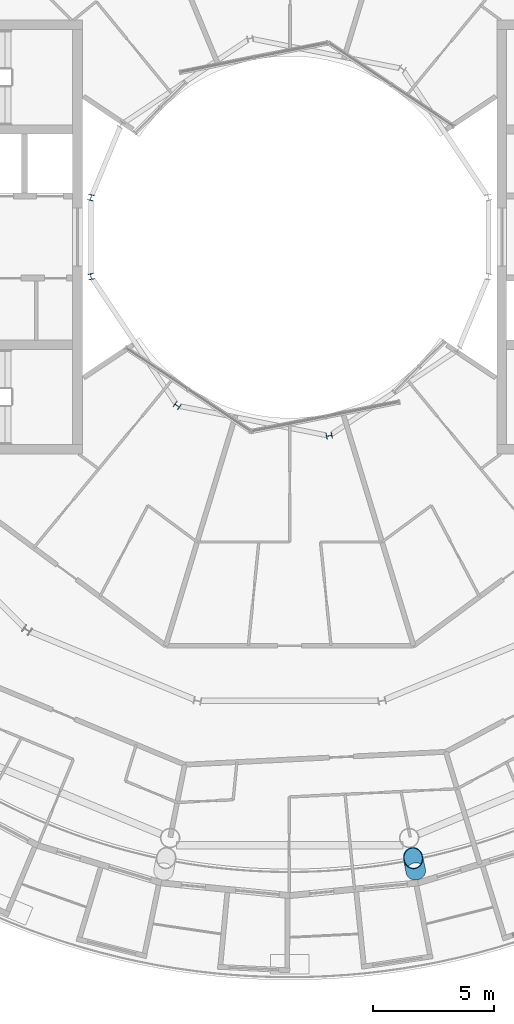
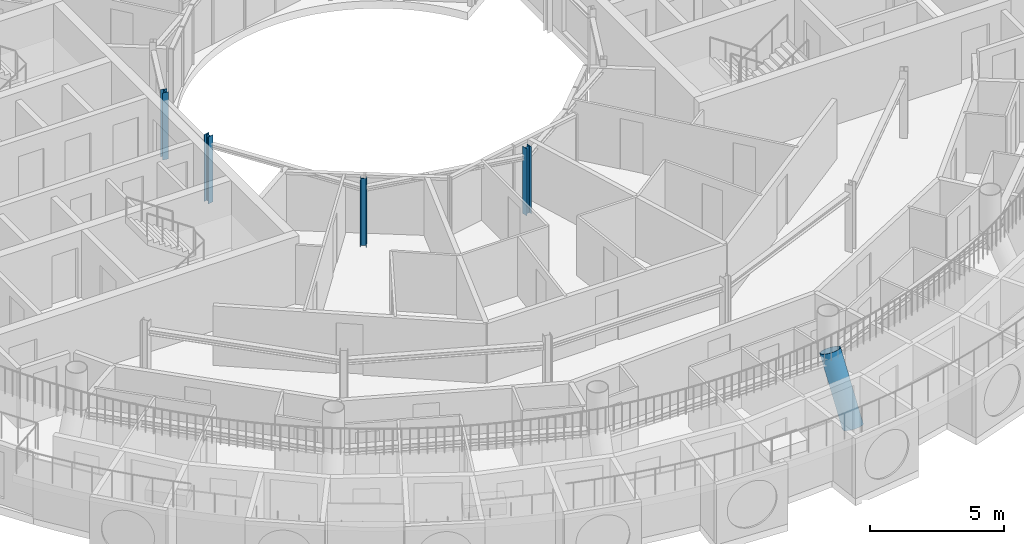
# One storey, part 2 of 29: 5 columns.
"""IFC4 building model written with IfcOpenShell, lengths in metres."""

from ifc_helpers import new_model, si_unit, direction, frame, origin, origin_2d, place, context, subcontext, project, spatial, hollow_circle, i_section, extrude, material, material_profile, profile_set, type_object, element, save


model = new_model("IFC4")

# Units and contexts
model_context = context("Model", 3, precision=1e-05, world=origin(), true_north=direction((0.0, 1.0)))
body_context = subcontext(model_context, "Body", "Model", "MODEL_VIEW")
ifc_project = project(units=[si_unit("LENGTHUNIT", "METRE"), si_unit("AREAUNIT", "SQUARE_METRE"), si_unit("VOLUMEUNIT", "CUBIC_METRE"), si_unit("PLANEANGLEUNIT", "RADIAN"), si_unit("MASSUNIT", "GRAM", prefix="KILO")], contexts=[model_context])

# Site, building, storey
site_placement = place(None, origin())
site = spatial("IfcSite", under=ifc_project, at=site_placement, CompositionType="ELEMENT")
building_placement = place(site_placement, origin())
building = spatial("IfcBuilding", under=site, at=building_placement, Name="Maasbend Ring Residences", CompositionType="ELEMENT")
storey_placement = place(building_placement, frame((0.0, 0.0, 234.050048828125)))
storey = spatial("IfcBuildingStorey", under=building, at=storey_placement, Name="L67", CompositionType="ELEMENT", Elevation=234.050048828125)

# Columns
ifc_material_1 = material(Name="Composite concrete-filled steel tube S460NH / C80/95", Category="concrete")
ifc_material_profile_1 = material_profile(ifc_material_1, hollow_circle(Radius=0.406494140625, WallThickness=0.030029296875, at=origin_2d()), Name="Composite tube column CHS 813x30")
ifc_profile_set_1 = profile_set([ifc_material_profile_1], Name="Composite concrete-filled steel tube S460NH / C80/95")
column_type_1 = type_object("IfcColumnType", Name="Composite tube column CHS 813x30", PredefinedType="COLUMN", material=ifc_profile_set_1)
column_placement = place(storey_placement, frame((5.228515625, -26.284912109375, 0.0), z_axis=(-0.081382632414, 0.409131968018, 0.908838764516), x_axis=(-0.980784718923, -0.195093144748, 0.0)))
element("IfcColumn", 1, at=column_placement, inside=storey, type_object=column_type_1, Name="Outer column R13", PredefinedType="COLUMN", context=body_context, shape_type="SweptSolid", body=[
    extrude(hollow_circle(Radius=0.406494140625, WallThickness=0.030029296875, at=origin_2d()), origin(), (0.0, 0.0, 1.0), 3.080810546875),
])
ifc_material_2 = material(Name="Steel S355J2", Category="steel")
ifc_material_profile_2 = material_profile(ifc_material_2, i_section(OverallWidth=0.239990234375, OverallDepth=0.22998046875, WebThickness=0.007568359375, FlangeThickness=0.011962890625, FilletRadius=0.02099609375, at=origin_2d()), Name="HEA 240")
ifc_profile_set_2 = profile_set([ifc_material_profile_2], Name="Steel S355J2")
column_type_2 = type_object("IfcColumnType", Name="Steel column HEA 240", PredefinedType="COLUMN", material=ifc_profile_set_2)
for number, where, z_axis, x_axis, name in (
    (2, (-8.238525390625, 1.638916015625, 0.0), (0.0, 0.0, 1.0), (-0.980785280403, 0.195090322016, 0.0), "Well ring column R8"),
    (3, (-8.238525390625, -1.638916015625, 0.0), (0.0, 0.0, 1.0), (-0.980785280403, -0.195090322016, 0.0), "Well ring column R9"),
    (4, (-4.666748046875, -6.984375, 0.0), (0.0, 0.0, 1.0), (-0.55557023302, -0.831469612303, 0.0), "Well ring column R11"),
    (5, (1.638916015625, -8.238525390625, 0.0), (0.0, 0.0, 1.0), (0.195090322016, -0.980785280403, 0.0), "Well ring column R13"),
):
    element("IfcColumn", number, at=place(storey_placement, frame(where, z_axis=z_axis, x_axis=x_axis)), inside=storey, type_object=column_type_2, Name=name, PredefinedType="COLUMN", context=body_context, shape_type="SweptSolid", body=[
        extrude(i_section(OverallWidth=0.239990234375, OverallDepth=0.22998046875, WebThickness=0.007568359375, FlangeThickness=0.011962890625, FilletRadius=0.02099609375, at=origin_2d()), origin(), (0.0, 0.0, 1.0), 3.050048828125),
    ])

save(model, "model.ifc")
